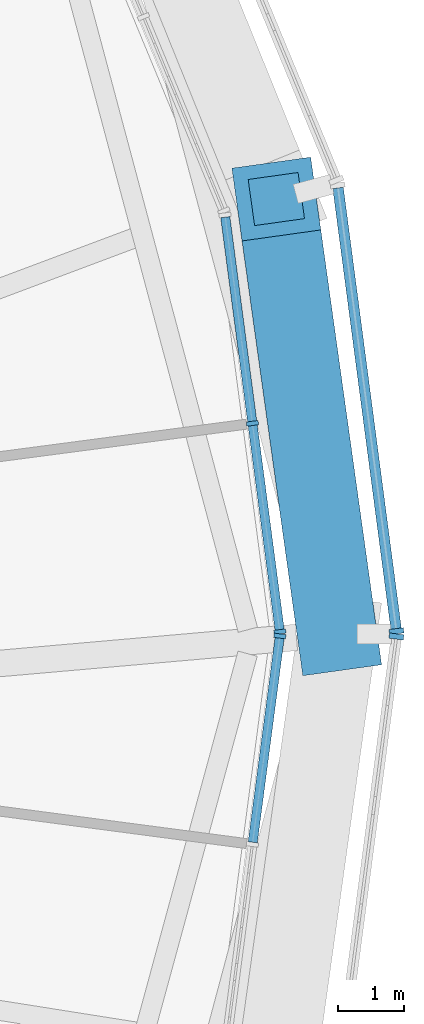
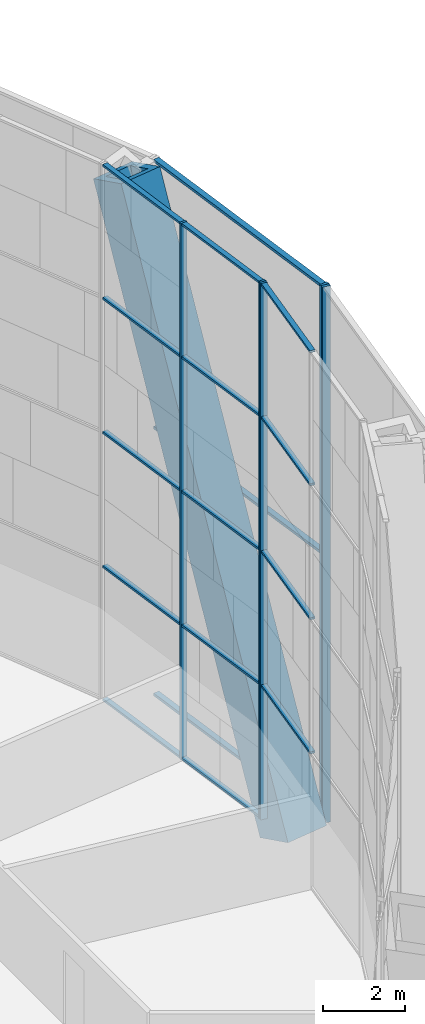
# One storey, part 7 of 29: 23 members, 4 elements without a shape of their own.
"""IFC4 building model written with IfcOpenShell, lengths in metres."""

from ifc_helpers import new_model, si_unit, direction, frame, origin, origin_2d, place, context, subcontext, project, spatial, rectangle, hollow_rectangle, extrude, material, material_profile, profile_set, type_object, element, aggregate, save


model = new_model("IFC4")

# Units and contexts
model_context = context("Model", 3, precision=1e-05, world=origin(), true_north=direction((0.0, 1.0)))
body_context = subcontext(model_context, "Body", "Model", "MODEL_VIEW")
ifc_project = project(units=[si_unit("LENGTHUNIT", "METRE"), si_unit("AREAUNIT", "SQUARE_METRE"), si_unit("VOLUMEUNIT", "CUBIC_METRE"), si_unit("PLANEANGLEUNIT", "RADIAN"), si_unit("MASSUNIT", "GRAM", prefix="KILO")], contexts=[model_context])

# Site, building, storey
site_placement = place(None, origin())
site = spatial("IfcSite", under=ifc_project, at=site_placement, CompositionType="ELEMENT")
building_placement = place(site_placement, origin())
building = spatial("IfcBuilding", under=site, at=building_placement, Name="Golbaran Civic Tower", CompositionType="ELEMENT")
storey_placement = place(building_placement, frame((0.0, 0.0, 118.0)))
storey = spatial("IfcBuildingStorey", under=building, at=storey_placement, Name="L28", CompositionType="ELEMENT", Elevation=118.0)

# Member
ifc_material_1 = material(Name="Steel S355", Category="steel")
ifc_material_profile_1 = material_profile(ifc_material_1, hollow_rectangle(XDim=1.199951171875, YDim=1.199951171875, WallThickness=0.219970703125, at=origin_2d()), Name="BOX 1200x1200x220")
ifc_profile_set_1 = profile_set([ifc_material_profile_1], Name="Steel S355")
member_type_1 = type_object("IfcMemberType", Name="DIAGRID DIAGONAL BOX 1200x1200x220", PredefinedType="BRACE", material=ifc_profile_set_1)
member_1_placement = place(storey_placement, frame((25.39306640625, 0.0, -0.7099609375), z_axis=(-0.052927158382, 0.378752046555, 0.923983551334), x_axis=(-0.990376946699, -0.138396182918, 0.0)))
element("IfcMember", 1, at=member_1_placement, inside=storey, type_object=member_type_1, Name="Diagonal D06-00R L28-L32", PredefinedType="BRACE", context=body_context, shape_type="SweptSolid", body=[
    extrude(hollow_rectangle(XDim=1.199951171875, YDim=1.199951171875, WallThickness=0.219970703125, at=origin_2d()), origin(), (0.0, 0.0, 1.0), 17.31640625),
])

# Curtain wall, members
ifc_material_2 = material(Name="Aluminium and glass", Category="aluminium")
curtain_wall_type_1 = type_object("IfcCurtainWallType", Name="INNER SKIN CURTAIN WALL", PredefinedType="NOTDEFINED", material=ifc_material_2)
curtain_wall_1_placement = place(storey_placement, origin())
curtain_wall_1 = element("IfcCurtainWall", 2, at=curtain_wall_1_placement, inside=storey, type_object=curtain_wall_type_1, Name="Inner skin L28 facet 1 CW1", ObjectType="INNER SKIN", PredefinedType="USERDEFINED")
ifc_material_3 = material(Name="Aluminium", Category="aluminium")
ifc_material_profile_2 = material_profile(ifc_material_3, rectangle(XDim=0.179931640625, YDim=0.06494140625, at=origin_2d()), Name="INNER SKIN CURTAIN WALL MULLION")
ifc_profile_set_2 = profile_set([ifc_material_profile_2], Name="Aluminium")
member_type_2 = type_object("IfcMemberType", Name="INNER SKIN CURTAIN WALL MULLION", PredefinedType="MULLION", material=ifc_profile_set_2)
member_2_placement = place(storey_placement, frame((24.52978515625, 0.0322265625, 0.0), z_axis=(0.0, 0.0, 1.0), x_axis=(-0.991444861372, -0.130526192237, 0.0)))
member_2 = element("IfcMember", 3, at=member_2_placement, type_object=member_type_2, Name="CW1 mullion 1", PredefinedType="MULLION", context=body_context, shape_type="SweptSolid", body=[
    extrude(rectangle(XDim=0.179931640625, YDim=0.06494140625, at=origin_2d()), origin(), (0.0, 0.0, 1.0), 16.0),
])
member_3_placement = place(storey_placement, frame((24.115966796875, 3.175048828125, 0.0), z_axis=(0.0, 0.0, 1.0), x_axis=(-0.991444861372, -0.130526192237, 0.0)))
member_3 = element("IfcMember", 4, at=member_3_placement, type_object=member_type_2, Name="CW1 mullion 2", PredefinedType="MULLION", context=body_context, shape_type="SweptSolid", body=[
    extrude(rectangle(XDim=0.179931640625, YDim=0.06494140625, at=origin_2d()), origin(), (0.0, 0.0, 1.0), 16.0),
])

# Curtain wall, member
curtain_wall_2_placement = place(storey_placement, origin())
curtain_wall_2 = element("IfcCurtainWall", 5, at=curtain_wall_2_placement, inside=storey, type_object=curtain_wall_type_1, Name="Inner skin L28 facet 24 CW1", ObjectType="INNER SKIN", PredefinedType="USERDEFINED")
member_4_placement = place(storey_placement, frame((24.52978515625, -0.0322265625, 0.0), z_axis=(0.0, 0.0, 1.0), x_axis=(-0.991444861372, 0.130526192237, 0.0)))
member_4 = element("IfcMember", 6, at=member_4_placement, type_object=member_type_2, Name="CW1 mullion 3", PredefinedType="MULLION", context=body_context, shape_type="SweptSolid", body=[
    extrude(rectangle(XDim=0.179931640625, YDim=0.06494140625, at=origin_2d()), origin(), (0.0, 0.0, 1.0), 16.0),
])

# Member
ifc_material_profile_3 = material_profile(ifc_material_3, rectangle(XDim=0.139892578125, YDim=0.06494140625, at=origin_2d()), Name="INNER SKIN CURTAIN WALL TRANSOM")
ifc_profile_set_3 = profile_set([ifc_material_profile_3], Name="Aluminium")
member_type_3 = type_object("IfcMemberType", Name="INNER SKIN CURTAIN WALL TRANSOM", PredefinedType="USERDEFINED", material=ifc_profile_set_3)
member_5_placement = place(storey_placement, frame((24.525634765625, 0.064453125, 0.032470703125), z_axis=(-0.130525702039, 0.991444925907, 0.0), x_axis=(-0.991444925907, -0.130525702039, 0.0)))
member_5 = element("IfcMember", 7, at=member_5_placement, type_object=member_type_3, Name="CW1 transom 1.1", ObjectType="TRANSOM", PredefinedType="USERDEFINED", context=body_context, shape_type="SweptSolid", body=[
    extrude(rectangle(XDim=0.139892578125, YDim=0.06494140625, at=origin_2d()), origin(), (0.0, 0.0, 1.0), 3.10498046875),
])

member_6_placement = place(storey_placement, frame((24.525634765625, 0.064453125, 4.0), z_axis=(-0.130525702039, 0.991444925907, 0.0), x_axis=(-0.991444925907, -0.130525702039, 0.0)))
member_6 = element("IfcMember", 8, at=member_6_placement, type_object=member_type_3, Name="CW1 transom 1.2", ObjectType="TRANSOM", PredefinedType="USERDEFINED", context=body_context, shape_type="SweptSolid", body=[
    extrude(rectangle(XDim=0.139892578125, YDim=0.06494140625, at=origin_2d()), origin(), (0.0, 0.0, 1.0), 3.10498046875),
])

member_7_placement = place(storey_placement, frame((24.525634765625, 0.064453125, 8.0), z_axis=(-0.130525702039, 0.991444925907, 0.0), x_axis=(-0.991444925907, -0.130525702039, 0.0)))
member_7 = element("IfcMember", 9, at=member_7_placement, type_object=member_type_3, Name="CW1 transom 1.3", ObjectType="TRANSOM", PredefinedType="USERDEFINED", context=body_context, shape_type="SweptSolid", body=[
    extrude(rectangle(XDim=0.139892578125, YDim=0.06494140625, at=origin_2d()), origin(), (0.0, 0.0, 1.0), 3.10498046875),
])

member_8_placement = place(storey_placement, frame((24.525634765625, 0.064453125, 12.0), z_axis=(-0.130525702039, 0.991444925907, 0.0), x_axis=(-0.991444925907, -0.130525702039, 0.0)))
member_8 = element("IfcMember", 10, at=member_8_placement, type_object=member_type_3, Name="CW1 transom 1.4", ObjectType="TRANSOM", PredefinedType="USERDEFINED", context=body_context, shape_type="SweptSolid", body=[
    extrude(rectangle(XDim=0.139892578125, YDim=0.06494140625, at=origin_2d()), origin(), (0.0, 0.0, 1.0), 3.10498046875),
])

member_9_placement = place(storey_placement, frame((24.525634765625, 0.064453125, 15.967529296875), z_axis=(-0.130525702039, 0.991444925907, 0.0), x_axis=(-0.991444925907, -0.130525702039, 0.0)))
member_9 = element("IfcMember", 11, at=member_9_placement, type_object=member_type_3, Name="CW1 transom 1.5", ObjectType="TRANSOM", PredefinedType="USERDEFINED", context=body_context, shape_type="SweptSolid", body=[
    extrude(rectangle(XDim=0.139892578125, YDim=0.06494140625, at=origin_2d()), origin(), (0.0, 0.0, 1.0), 3.10498046875),
])

member_10_placement = place(storey_placement, frame((24.11181640625, 3.207275390625, 0.032470703125), z_axis=(-0.130535878251, 0.991443586136, 0.0), x_axis=(-0.991443586136, -0.130535878251, 0.0)))
member_10 = element("IfcMember", 12, at=member_10_placement, type_object=member_type_3, Name="CW1 transom 2.1", ObjectType="TRANSOM", PredefinedType="USERDEFINED", context=body_context, shape_type="SweptSolid", body=[
    extrude(rectangle(XDim=0.139892578125, YDim=0.06494140625, at=origin_2d()), origin(), (0.0, 0.0, 1.0), 3.104736328125),
])

member_11_placement = place(storey_placement, frame((24.11181640625, 3.207275390625, 4.0), z_axis=(-0.130535878251, 0.991443586136, 0.0), x_axis=(-0.991443586136, -0.130535878251, 0.0)))
member_11 = element("IfcMember", 13, at=member_11_placement, type_object=member_type_3, Name="CW1 transom 2.2", ObjectType="TRANSOM", PredefinedType="USERDEFINED", context=body_context, shape_type="SweptSolid", body=[
    extrude(rectangle(XDim=0.139892578125, YDim=0.06494140625, at=origin_2d()), origin(), (0.0, 0.0, 1.0), 3.104736328125),
])

member_12_placement = place(storey_placement, frame((24.11181640625, 3.207275390625, 8.0), z_axis=(-0.130535878251, 0.991443586136, 0.0), x_axis=(-0.991443586136, -0.130535878251, 0.0)))
member_12 = element("IfcMember", 14, at=member_12_placement, type_object=member_type_3, Name="CW1 transom 2.3", ObjectType="TRANSOM", PredefinedType="USERDEFINED", context=body_context, shape_type="SweptSolid", body=[
    extrude(rectangle(XDim=0.139892578125, YDim=0.06494140625, at=origin_2d()), origin(), (0.0, 0.0, 1.0), 3.104736328125),
])

member_13_placement = place(storey_placement, frame((24.11181640625, 3.207275390625, 12.0), z_axis=(-0.130535878251, 0.991443586136, 0.0), x_axis=(-0.991443586136, -0.130535878251, 0.0)))
member_13 = element("IfcMember", 15, at=member_13_placement, type_object=member_type_3, Name="CW1 transom 2.4", ObjectType="TRANSOM", PredefinedType="USERDEFINED", context=body_context, shape_type="SweptSolid", body=[
    extrude(rectangle(XDim=0.139892578125, YDim=0.06494140625, at=origin_2d()), origin(), (0.0, 0.0, 1.0), 3.104736328125),
])

member_14_placement = place(storey_placement, frame((24.11181640625, 3.207275390625, 15.967529296875), z_axis=(-0.130535878251, 0.991443586136, 0.0), x_axis=(-0.991443586136, -0.130535878251, 0.0)))
member_14 = element("IfcMember", 16, at=member_14_placement, type_object=member_type_3, Name="CW1 transom 2.5", ObjectType="TRANSOM", PredefinedType="USERDEFINED", context=body_context, shape_type="SweptSolid", body=[
    extrude(rectangle(XDim=0.139892578125, YDim=0.06494140625, at=origin_2d()), origin(), (0.0, 0.0, 1.0), 3.104736328125),
])

aggregate(curtain_wall_1, [member_2, member_3, member_5, member_6, member_7, member_8, member_9, member_10, member_11, member_12, member_13, member_14])

member_15_placement = place(storey_placement, frame((24.120361328125, -3.142822265625, 4.0), z_axis=(0.130525702039, 0.991444925907, 0.0), x_axis=(-0.991444925907, 0.130525702039, 0.0)))
member_15 = element("IfcMember", 17, at=member_15_placement, type_object=member_type_3, Name="CW1 transom 2.2", ObjectType="TRANSOM", PredefinedType="USERDEFINED", context=body_context, shape_type="SweptSolid", body=[
    extrude(rectangle(XDim=0.139892578125, YDim=0.06494140625, at=origin_2d()), origin(), (0.0, 0.0, 1.0), 3.10498046875),
])

member_16_placement = place(storey_placement, frame((24.120361328125, -3.142822265625, 8.0), z_axis=(0.130525702039, 0.991444925907, 0.0), x_axis=(-0.991444925907, 0.130525702039, 0.0)))
member_16 = element("IfcMember", 18, at=member_16_placement, type_object=member_type_3, Name="CW1 transom 2.3", ObjectType="TRANSOM", PredefinedType="USERDEFINED", context=body_context, shape_type="SweptSolid", body=[
    extrude(rectangle(XDim=0.139892578125, YDim=0.06494140625, at=origin_2d()), origin(), (0.0, 0.0, 1.0), 3.10498046875),
])

member_17_placement = place(storey_placement, frame((24.120361328125, -3.142822265625, 12.0), z_axis=(0.130525702039, 0.991444925907, 0.0), x_axis=(-0.991444925907, 0.130525702039, 0.0)))
member_17 = element("IfcMember", 19, at=member_17_placement, type_object=member_type_3, Name="CW1 transom 2.4", ObjectType="TRANSOM", PredefinedType="USERDEFINED", context=body_context, shape_type="SweptSolid", body=[
    extrude(rectangle(XDim=0.139892578125, YDim=0.06494140625, at=origin_2d()), origin(), (0.0, 0.0, 1.0), 3.10498046875),
])

member_18_placement = place(storey_placement, frame((24.120361328125, -3.142822265625, 15.967529296875), z_axis=(0.130525702039, 0.991444925907, 0.0), x_axis=(-0.991444925907, 0.130525702039, 0.0)))
member_18 = element("IfcMember", 20, at=member_18_placement, type_object=member_type_3, Name="CW1 transom 2.5", ObjectType="TRANSOM", PredefinedType="USERDEFINED", context=body_context, shape_type="SweptSolid", body=[
    extrude(rectangle(XDim=0.139892578125, YDim=0.06494140625, at=origin_2d()), origin(), (0.0, 0.0, 1.0), 3.10498046875),
])

aggregate(curtain_wall_2, [member_4, member_15, member_16, member_17, member_18])

# Curtain wall, member
curtain_wall_type_2 = type_object("IfcCurtainWallType", Name="OUTER SKIN TERRACOTTA SCREEN", PredefinedType="NOTDEFINED", material=ifc_material_2)
curtain_wall_3_placement = place(storey_placement, origin())
curtain_wall_3 = element("IfcCurtainWall", 21, at=curtain_wall_3_placement, inside=storey, type_object=curtain_wall_type_2, Name="Outer skin L28 facet 1 CW3", ObjectType="OUTER SKIN", PredefinedType="USERDEFINED")
ifc_material_profile_4 = material_profile(ifc_material_3, rectangle(XDim=0.219970703125, YDim=0.080078125, at=origin_2d()), Name="OUTER SKIN TERRACOTTA SCREEN MULLION")
ifc_profile_set_4 = profile_set([ifc_material_profile_4], Name="Aluminium")
member_type_4 = type_object("IfcMemberType", Name="OUTER SKIN TERRACOTTA SCREEN MULLION", PredefinedType="MULLION", material=ifc_profile_set_4)
member_19_placement = place(storey_placement, frame((26.287841796875, 0.03955078125, -0.7099609375), z_axis=(0.0, 0.0, 1.0), x_axis=(-0.991444861381, -0.130526192168, 0.0)))
member_19 = element("IfcMember", 22, at=member_19_placement, type_object=member_type_4, Name="CW3 mullion 1", PredefinedType="MULLION", context=body_context, shape_type="SweptSolid", body=[
    extrude(rectangle(XDim=0.219970703125, YDim=0.080078125, at=origin_2d()), origin(), (0.0, 0.0, 1.0), 16.0),
])

curtain_wall_4_placement = place(storey_placement, origin())
curtain_wall_4 = element("IfcCurtainWall", 23, at=curtain_wall_4_placement, inside=storey, type_object=curtain_wall_type_2, Name="Outer skin L28 facet 24 CW3", ObjectType="OUTER SKIN", PredefinedType="USERDEFINED")
member_20_placement = place(storey_placement, frame((26.287841796875, -0.03955078125, -0.7099609375), z_axis=(0.0, 0.0, 1.0), x_axis=(-0.991444861381, 0.130526192168, 0.0)))
member_20 = element("IfcMember", 24, at=member_20_placement, type_object=member_type_4, Name="CW3 mullion 2", PredefinedType="MULLION", context=body_context, shape_type="SweptSolid", body=[
    extrude(rectangle(XDim=0.219970703125, YDim=0.080078125, at=origin_2d()), origin(), (0.0, 0.0, 1.0), 16.0),
])
aggregate(curtain_wall_4, [member_20])

# Member
ifc_material_profile_5 = material_profile(ifc_material_3, rectangle(XDim=0.159912109375, YDim=0.080078125, at=origin_2d()), Name="OUTER SKIN TERRACOTTA SCREEN TRANSOM")
ifc_profile_set_5 = profile_set([ifc_material_profile_5], Name="Aluminium")
member_type_5 = type_object("IfcMemberType", Name="OUTER SKIN TERRACOTTA SCREEN TRANSOM", PredefinedType="USERDEFINED", material=ifc_profile_set_5)
member_21_placement = place(storey_placement, frame((26.282470703125, 0.079345703125, -0.669921875), z_axis=(-0.1305223406, 0.991445368442, 0.0), x_axis=(-0.991445368442, -0.1305223406, 0.0)))
member_21 = element("IfcMember", 25, at=member_21_placement, type_object=member_type_5, Name="CW3 transom 1.1", ObjectType="TRANSOM", PredefinedType="USERDEFINED", context=body_context, shape_type="SweptSolid", body=[
    extrude(rectangle(XDim=0.159912109375, YDim=0.080078125, at=origin_2d()), origin(), (0.0, 0.0, 1.0), 6.703857421875),
])

member_22_placement = place(storey_placement, frame((26.282470703125, 0.079345703125, 7.2900390625), z_axis=(-0.1305223406, 0.991445368442, 0.0), x_axis=(-0.991445368442, -0.1305223406, 0.0)))
member_22 = element("IfcMember", 26, at=member_22_placement, type_object=member_type_5, Name="CW3 transom 1.2", ObjectType="TRANSOM", PredefinedType="USERDEFINED", context=body_context, shape_type="SweptSolid", body=[
    extrude(rectangle(XDim=0.159912109375, YDim=0.080078125, at=origin_2d()), origin(), (0.0, 0.0, 1.0), 6.703857421875),
])

member_23_placement = place(storey_placement, frame((26.282470703125, 0.079345703125, 15.25), z_axis=(-0.1305223406, 0.991445368442, 0.0), x_axis=(-0.991445368442, -0.1305223406, 0.0)))
member_23 = element("IfcMember", 27, at=member_23_placement, type_object=member_type_5, Name="CW3 transom 1.3", ObjectType="TRANSOM", PredefinedType="USERDEFINED", context=body_context, shape_type="SweptSolid", body=[
    extrude(rectangle(XDim=0.159912109375, YDim=0.080078125, at=origin_2d()), origin(), (0.0, 0.0, 1.0), 6.703857421875),
])

aggregate(curtain_wall_3, [member_19, member_21, member_22, member_23])

save(model, "model.ifc")
